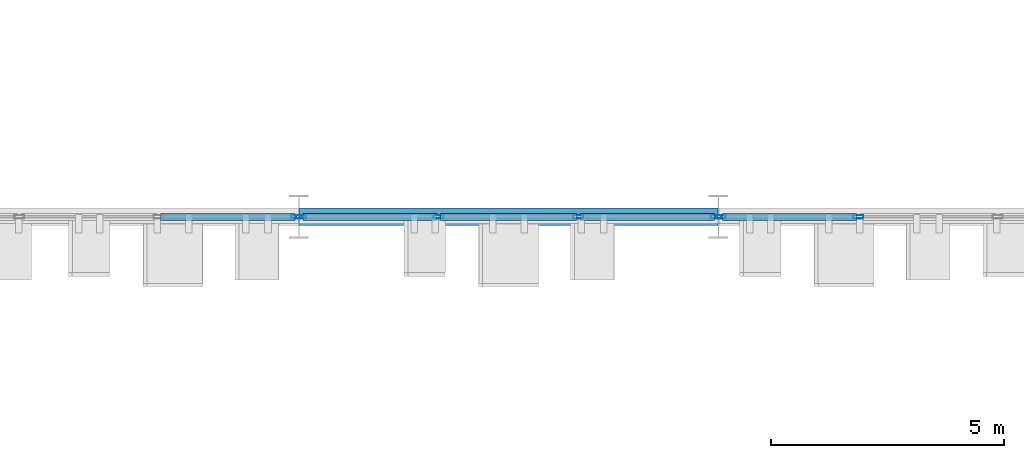
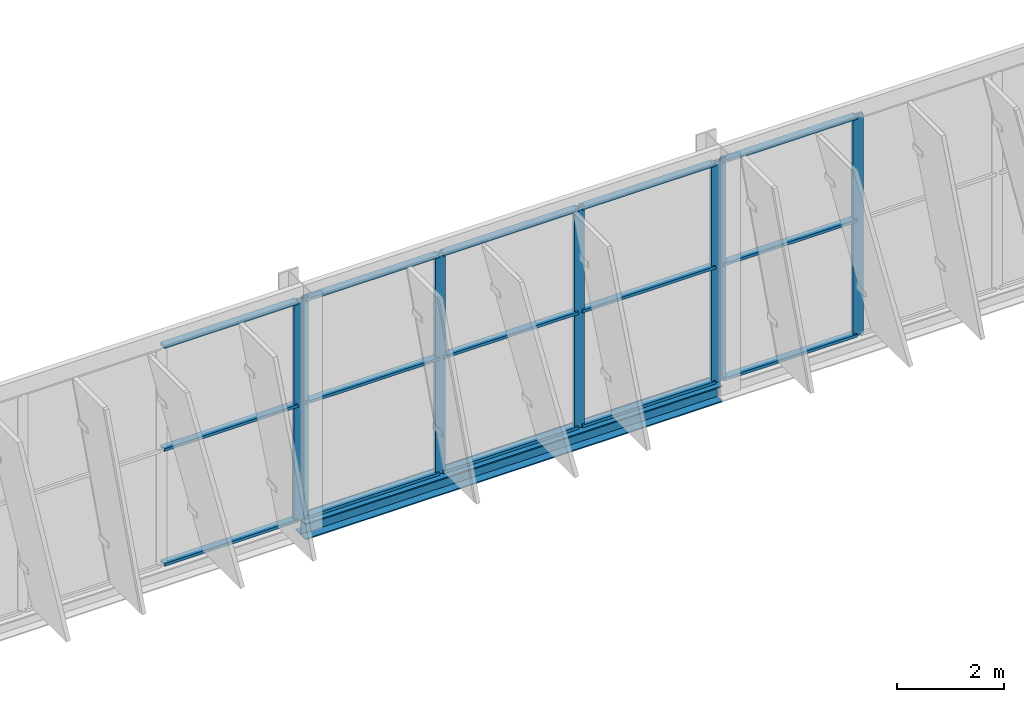
# One storey, part 18 of 189: 22 members, 1 beam, 3 elements without a shape of their own.
"""IFC4 building model written with IfcOpenShell, lengths in metres."""

from ifc_helpers import new_model, si_unit, direction, frame, origin, origin_2d, place, context, subcontext, project, spatial, hollow_rectangle, i_section, extrude, material, layer, layer_set, material_profile, profile_set, type_object, element, aggregate, save


model = new_model("IFC4")

# Units and contexts
model_context = context("Model", 3, precision=1e-05, world=origin(), true_north=direction((0.0, 1.0)))
body_context = subcontext(model_context, "Body", "Model", "MODEL_VIEW")
ifc_project = project(units=[si_unit("LENGTHUNIT", "METRE"), si_unit("AREAUNIT", "SQUARE_METRE"), si_unit("VOLUMEUNIT", "CUBIC_METRE"), si_unit("PLANEANGLEUNIT", "RADIAN"), si_unit("MASSUNIT", "GRAM", prefix="KILO")], contexts=[model_context])

# Site, building, storey
site_placement = place(None, origin())
site = spatial("IfcSite", under=ifc_project, at=site_placement, CompositionType="ELEMENT")
building_placement = place(site_placement, origin())
building = spatial("IfcBuilding", under=site, at=building_placement, Name="Celestram Park Convention Centre", CompositionType="ELEMENT")
storey_placement = place(building_placement, frame((0.0, 0.0, 5.39990234375)))
storey = spatial("IfcBuildingStorey", under=building, at=storey_placement, Name="L01", CompositionType="ELEMENT", Elevation=5.39990234375)

# Curtain wall, members
ifc_material_1 = material(Name="Anodised Aluminium Alloy 6063-T6", Category="aluminium")
ifc_layer = layer(ifc_material_1, 0.179931640625)
ifc_layer_set = layer_set([ifc_layer], Name="Anodised Aluminium Alloy 6063-T6")
curtain_wall_type = type_object("IfcCurtainWallType", Name="ARC-CW-898X503", PredefinedType="NOTDEFINED", material=ifc_layer_set)
curtain_wall_1_placement = place(storey_placement, origin())
curtain_wall_1 = element("IfcCurtainWall", 1, at=curtain_wall_1_placement, inside=storey, type_object=curtain_wall_type, Name="Unitised curtain wall CU-L01-123", PredefinedType="NOTDEFINED")
ifc_material_profile_1 = material_profile(ifc_material_1, hollow_rectangle(XDim=0.074951171875, YDim=0.219970703125, WallThickness=0.00390625, at=origin_2d()), Name="ALU75X220X4")
ifc_profile_set_1 = profile_set([ifc_material_profile_1], Name="Anodised Aluminium Alloy 6063-T6")
member_type_1 = type_object("IfcMemberType", Name="ARC-CWM-180", PredefinedType="MULLION", material=ifc_profile_set_1)
member_1_placement = place(storey_placement, frame((30.00341796875, 21.60009765625, 0.0), z_axis=(0.0, 0.0, 1.0), x_axis=(0.0, -1.0, 0.0)))
member_1 = element("IfcMember", 2, at=member_1_placement, type_object=member_type_1, Name="CW-89X50 mullion 3", PredefinedType="MULLION", context=body_context, shape_type="SweptSolid", body=[
    extrude(hollow_rectangle(XDim=0.074951171875, YDim=0.219970703125, WallThickness=0.00390625, at=origin_2d()), origin(), (0.0, 0.0, 1.0), 5.027099609375),
])
member_2_placement = place(storey_placement, frame((27.047607421875, 21.60009765625, 0.0), z_axis=(0.0, 0.0, 1.0), x_axis=(0.0, -1.0, 0.0)))
member_2 = element("IfcMember", 3, at=member_2_placement, type_object=member_type_1, Name="CW-89X50 mullion 4", PredefinedType="MULLION", context=body_context, shape_type="SweptSolid", body=[
    extrude(hollow_rectangle(XDim=0.074951171875, YDim=0.219970703125, WallThickness=0.00390625, at=origin_2d()), origin(), (0.0, 0.0, 1.0), 5.027099609375),
])

curtain_wall_2_placement = place(storey_placement, origin())
curtain_wall_2 = element("IfcCurtainWall", 4, at=curtain_wall_2_placement, inside=storey, type_object=curtain_wall_type, Name="Unitised curtain wall CU-L01-124", PredefinedType="NOTDEFINED")
member_3_placement = place(storey_placement, frame((26.952392578125, 21.60009765625, 0.0), z_axis=(0.0, 0.0, 1.0), x_axis=(0.0, -1.0, 0.0)))
member_3 = element("IfcMember", 5, at=member_3_placement, type_object=member_type_1, Name="CW-89X50 mullion 1", PredefinedType="MULLION", context=body_context, shape_type="SweptSolid", body=[
    extrude(hollow_rectangle(XDim=0.074951171875, YDim=0.219970703125, WallThickness=0.00390625, at=origin_2d()), origin(), (0.0, 0.0, 1.0), 5.027099609375),
])
member_4_placement = place(storey_placement, frame((23.99658203125, 21.60009765625, 0.0), z_axis=(0.0, 0.0, 1.0), x_axis=(0.0, -1.0, 0.0)))
member_4 = element("IfcMember", 6, at=member_4_placement, type_object=member_type_1, Name="CW-89X50 mullion 2", PredefinedType="MULLION", context=body_context, shape_type="SweptSolid", body=[
    extrude(hollow_rectangle(XDim=0.074951171875, YDim=0.219970703125, WallThickness=0.00390625, at=origin_2d()), origin(), (0.0, 0.0, 1.0), 5.027099609375),
])
member_5_placement = place(storey_placement, frame((21.00341796875, 21.60009765625, 0.0), z_axis=(0.0, 0.0, 1.0), x_axis=(0.0, -1.0, 0.0)))
member_5 = element("IfcMember", 7, at=member_5_placement, type_object=member_type_1, Name="CW-89X50 mullion 3", PredefinedType="MULLION", context=body_context, shape_type="SweptSolid", body=[
    extrude(hollow_rectangle(XDim=0.074951171875, YDim=0.219970703125, WallThickness=0.00390625, at=origin_2d()), origin(), (0.0, 0.0, 1.0), 5.027099609375),
])
member_6_placement = place(storey_placement, frame((18.047607421875, 21.60009765625, 0.0), z_axis=(0.0, 0.0, 1.0), x_axis=(0.0, -1.0, 0.0)))
member_6 = element("IfcMember", 8, at=member_6_placement, type_object=member_type_1, Name="CW-89X50 mullion 4", PredefinedType="MULLION", context=body_context, shape_type="SweptSolid", body=[
    extrude(hollow_rectangle(XDim=0.074951171875, YDim=0.219970703125, WallThickness=0.00390625, at=origin_2d()), origin(), (0.0, 0.0, 1.0), 5.027099609375),
])

# Curtain wall, member
curtain_wall_3_placement = place(storey_placement, origin())
curtain_wall_3 = element("IfcCurtainWall", 9, at=curtain_wall_3_placement, inside=storey, type_object=curtain_wall_type, Name="Unitised curtain wall CU-L01-125", PredefinedType="NOTDEFINED")
member_7_placement = place(storey_placement, frame((17.952392578125, 21.60009765625, 0.0), z_axis=(0.0, 0.0, 1.0), x_axis=(0.0, -1.0, 0.0)))
member_7 = element("IfcMember", 10, at=member_7_placement, type_object=member_type_1, Name="CW-89X50 mullion 1", PredefinedType="MULLION", context=body_context, shape_type="SweptSolid", body=[
    extrude(hollow_rectangle(XDim=0.074951171875, YDim=0.219970703125, WallThickness=0.00390625, at=origin_2d()), origin(), (0.0, 0.0, 1.0), 5.027099609375),
])

# Member
ifc_material_profile_2 = material_profile(ifc_material_1, hollow_rectangle(XDim=0.14990234375, YDim=0.06494140625, WallThickness=0.0029296875, at=origin_2d()), Name="ALU150X65X3")
ifc_profile_set_2 = profile_set([ifc_material_profile_2], Name="Anodised Aluminium Alloy 6063-T6")
member_type_2 = type_object("IfcMemberType", Name="ARC-CWT-150", PredefinedType="USERDEFINED", material=ifc_profile_set_2)
member_8_placement = place(storey_placement, frame((29.9658203125, 21.60009765625, 0.03271484375), z_axis=(-1.0, 0.0, 0.0), x_axis=(0.0, -1.0, 0.0)))
member_8 = element("IfcMember", 11, at=member_8_placement, type_object=member_type_2, Name="CW-89X50 transom 3.1", ObjectType="TRANSOM", PredefinedType="USERDEFINED", context=body_context, shape_type="SweptSolid", body=[
    extrude(hollow_rectangle(XDim=0.14990234375, YDim=0.06494140625, WallThickness=0.0029296875, at=origin_2d()), origin(), (0.0, 0.0, 1.0), 2.880859375),
])

member_9_placement = place(storey_placement, frame((29.9658203125, 21.60009765625, 2.650146484375), z_axis=(-1.0, 0.0, 0.0), x_axis=(0.0, -1.0, 0.0)))
member_9 = element("IfcMember", 12, at=member_9_placement, type_object=member_type_2, Name="CW-89X50 transom 3.2", ObjectType="TRANSOM", PredefinedType="USERDEFINED", context=body_context, shape_type="SweptSolid", body=[
    extrude(hollow_rectangle(XDim=0.14990234375, YDim=0.06494140625, WallThickness=0.0029296875, at=origin_2d()), origin(), (0.0, 0.0, 1.0), 2.880859375),
])

member_10_placement = place(storey_placement, frame((29.9658203125, 21.60009765625, 4.99462890625), z_axis=(-1.0, 0.0, 0.0), x_axis=(0.0, -1.0, 0.0)))
member_10 = element("IfcMember", 13, at=member_10_placement, type_object=member_type_2, Name="CW-89X50 transom 3.3", ObjectType="TRANSOM", PredefinedType="USERDEFINED", context=body_context, shape_type="SweptSolid", body=[
    extrude(hollow_rectangle(XDim=0.14990234375, YDim=0.06494140625, WallThickness=0.0029296875, at=origin_2d()), origin(), (0.0, 0.0, 1.0), 2.880859375),
])

aggregate(curtain_wall_1, [member_1, member_2, member_8, member_9, member_10])

member_11_placement = place(storey_placement, frame((26.9150390625, 21.60009765625, 0.03271484375), z_axis=(-1.0, 0.0, 0.0), x_axis=(0.0, -1.0, 0.0)))
member_11 = element("IfcMember", 14, at=member_11_placement, type_object=member_type_2, Name="CW-89X50 transom 1.1", ObjectType="TRANSOM", PredefinedType="USERDEFINED", context=body_context, shape_type="SweptSolid", body=[
    extrude(hollow_rectangle(XDim=0.14990234375, YDim=0.06494140625, WallThickness=0.0029296875, at=origin_2d()), origin(), (0.0, 0.0, 1.0), 2.880859375),
])

member_12_placement = place(storey_placement, frame((26.9150390625, 21.60009765625, 2.650146484375), z_axis=(-1.0, 0.0, 0.0), x_axis=(0.0, -1.0, 0.0)))
member_12 = element("IfcMember", 15, at=member_12_placement, type_object=member_type_2, Name="CW-89X50 transom 1.2", ObjectType="TRANSOM", PredefinedType="USERDEFINED", context=body_context, shape_type="SweptSolid", body=[
    extrude(hollow_rectangle(XDim=0.14990234375, YDim=0.06494140625, WallThickness=0.0029296875, at=origin_2d()), origin(), (0.0, 0.0, 1.0), 2.880859375),
])

member_13_placement = place(storey_placement, frame((26.9150390625, 21.60009765625, 4.99462890625), z_axis=(-1.0, 0.0, 0.0), x_axis=(0.0, -1.0, 0.0)))
member_13 = element("IfcMember", 16, at=member_13_placement, type_object=member_type_2, Name="CW-89X50 transom 1.3", ObjectType="TRANSOM", PredefinedType="USERDEFINED", context=body_context, shape_type="SweptSolid", body=[
    extrude(hollow_rectangle(XDim=0.14990234375, YDim=0.06494140625, WallThickness=0.0029296875, at=origin_2d()), origin(), (0.0, 0.0, 1.0), 2.880859375),
])

member_14_placement = place(storey_placement, frame((23.959228515625, 21.60009765625, 0.03271484375), z_axis=(-1.0, 0.0, 0.0), x_axis=(0.0, -1.0, 0.0)))
member_14 = element("IfcMember", 17, at=member_14_placement, type_object=member_type_2, Name="CW-89X50 transom 2.1", ObjectType="TRANSOM", PredefinedType="USERDEFINED", context=body_context, shape_type="SweptSolid", body=[
    extrude(hollow_rectangle(XDim=0.14990234375, YDim=0.06494140625, WallThickness=0.0029296875, at=origin_2d()), origin(), (0.0, 0.0, 1.0), 2.91845703125),
])

member_15_placement = place(storey_placement, frame((23.959228515625, 21.60009765625, 2.650146484375), z_axis=(-1.0, 0.0, 0.0), x_axis=(0.0, -1.0, 0.0)))
member_15 = element("IfcMember", 18, at=member_15_placement, type_object=member_type_2, Name="CW-89X50 transom 2.2", ObjectType="TRANSOM", PredefinedType="USERDEFINED", context=body_context, shape_type="SweptSolid", body=[
    extrude(hollow_rectangle(XDim=0.14990234375, YDim=0.06494140625, WallThickness=0.0029296875, at=origin_2d()), origin(), (0.0, 0.0, 1.0), 2.91845703125),
])

member_16_placement = place(storey_placement, frame((23.959228515625, 21.60009765625, 4.99462890625), z_axis=(-1.0, 0.0, 0.0), x_axis=(0.0, -1.0, 0.0)))
member_16 = element("IfcMember", 19, at=member_16_placement, type_object=member_type_2, Name="CW-89X50 transom 2.3", ObjectType="TRANSOM", PredefinedType="USERDEFINED", context=body_context, shape_type="SweptSolid", body=[
    extrude(hollow_rectangle(XDim=0.14990234375, YDim=0.06494140625, WallThickness=0.0029296875, at=origin_2d()), origin(), (0.0, 0.0, 1.0), 2.91845703125),
])

member_17_placement = place(storey_placement, frame((20.9658203125, 21.60009765625, 0.03271484375), z_axis=(-1.0, 0.0, 0.0), x_axis=(0.0, -1.0, 0.0)))
member_17 = element("IfcMember", 20, at=member_17_placement, type_object=member_type_2, Name="CW-89X50 transom 3.1", ObjectType="TRANSOM", PredefinedType="USERDEFINED", context=body_context, shape_type="SweptSolid", body=[
    extrude(hollow_rectangle(XDim=0.14990234375, YDim=0.06494140625, WallThickness=0.0029296875, at=origin_2d()), origin(), (0.0, 0.0, 1.0), 2.880859375),
])

member_18_placement = place(storey_placement, frame((20.9658203125, 21.60009765625, 2.650146484375), z_axis=(-1.0, 0.0, 0.0), x_axis=(0.0, -1.0, 0.0)))
member_18 = element("IfcMember", 21, at=member_18_placement, type_object=member_type_2, Name="CW-89X50 transom 3.2", ObjectType="TRANSOM", PredefinedType="USERDEFINED", context=body_context, shape_type="SweptSolid", body=[
    extrude(hollow_rectangle(XDim=0.14990234375, YDim=0.06494140625, WallThickness=0.0029296875, at=origin_2d()), origin(), (0.0, 0.0, 1.0), 2.880859375),
])

member_19_placement = place(storey_placement, frame((20.9658203125, 21.60009765625, 4.99462890625), z_axis=(-1.0, 0.0, 0.0), x_axis=(0.0, -1.0, 0.0)))
member_19 = element("IfcMember", 22, at=member_19_placement, type_object=member_type_2, Name="CW-89X50 transom 3.3", ObjectType="TRANSOM", PredefinedType="USERDEFINED", context=body_context, shape_type="SweptSolid", body=[
    extrude(hollow_rectangle(XDim=0.14990234375, YDim=0.06494140625, WallThickness=0.0029296875, at=origin_2d()), origin(), (0.0, 0.0, 1.0), 2.880859375),
])

aggregate(curtain_wall_2, [member_3, member_4, member_5, member_6, member_11, member_12, member_13, member_14, member_15, member_16, member_17, member_18, member_19])

member_20_placement = place(storey_placement, frame((17.9150390625, 21.60009765625, 0.03271484375), z_axis=(-1.0, 0.0, 0.0), x_axis=(0.0, -1.0, 0.0)))
member_20 = element("IfcMember", 23, at=member_20_placement, type_object=member_type_2, Name="CW-89X50 transom 1.1", ObjectType="TRANSOM", PredefinedType="USERDEFINED", context=body_context, shape_type="SweptSolid", body=[
    extrude(hollow_rectangle(XDim=0.14990234375, YDim=0.06494140625, WallThickness=0.0029296875, at=origin_2d()), origin(), (0.0, 0.0, 1.0), 2.880859375),
])

member_21_placement = place(storey_placement, frame((17.9150390625, 21.60009765625, 2.650146484375), z_axis=(-1.0, 0.0, 0.0), x_axis=(0.0, -1.0, 0.0)))
member_21 = element("IfcMember", 24, at=member_21_placement, type_object=member_type_2, Name="CW-89X50 transom 1.2", ObjectType="TRANSOM", PredefinedType="USERDEFINED", context=body_context, shape_type="SweptSolid", body=[
    extrude(hollow_rectangle(XDim=0.14990234375, YDim=0.06494140625, WallThickness=0.0029296875, at=origin_2d()), origin(), (0.0, 0.0, 1.0), 2.880859375),
])

member_22_placement = place(storey_placement, frame((17.9150390625, 21.60009765625, 4.99462890625), z_axis=(-1.0, 0.0, 0.0), x_axis=(0.0, -1.0, 0.0)))
member_22 = element("IfcMember", 25, at=member_22_placement, type_object=member_type_2, Name="CW-89X50 transom 1.3", ObjectType="TRANSOM", PredefinedType="USERDEFINED", context=body_context, shape_type="SweptSolid", body=[
    extrude(hollow_rectangle(XDim=0.14990234375, YDim=0.06494140625, WallThickness=0.0029296875, at=origin_2d()), origin(), (0.0, 0.0, 1.0), 2.880859375),
])

aggregate(curtain_wall_3, [member_7, member_20, member_21, member_22])

# Beam
ifc_material_2 = material(Name="Steel ASTM A992 Grade 50", Category="steel")
ifc_material_profile_3 = material_profile(ifc_material_2, i_section(OverallWidth=0.373046875, OverallDepth=0.373046875, WebThickness=0.016357421875, FlangeThickness=0.026123046875, at=origin_2d()), Name="W14X132")
ifc_profile_set_3 = profile_set([ifc_material_profile_3], Name="Steel ASTM A992 Grade 50")
beam_type = type_object("IfcBeamType", Name="STR-SPN-W14X132", PredefinedType="SPANDREL", material=ifc_profile_set_3)
beam_placement = place(storey_placement, frame((18.010009765625, 21.60009765625, -0.1865234375), z_axis=(1.0, 0.0, 0.0), x_axis=(0.0, 1.0, 0.0)))
element("IfcBeam", 26, at=beam_placement, inside=storey, type_object=beam_type, Name="High-bay perimeter spandrel SPB-L01-015", PredefinedType="SPANDREL", context=body_context, shape_type="SweptSolid", body=[
    extrude(i_section(OverallWidth=0.373046875, OverallDepth=0.373046875, WebThickness=0.016357421875, FlangeThickness=0.026123046875, at=origin_2d()), origin(), (0.0, 0.0, 1.0), 8.97998046875),
])

save(model, "model.ifc")
